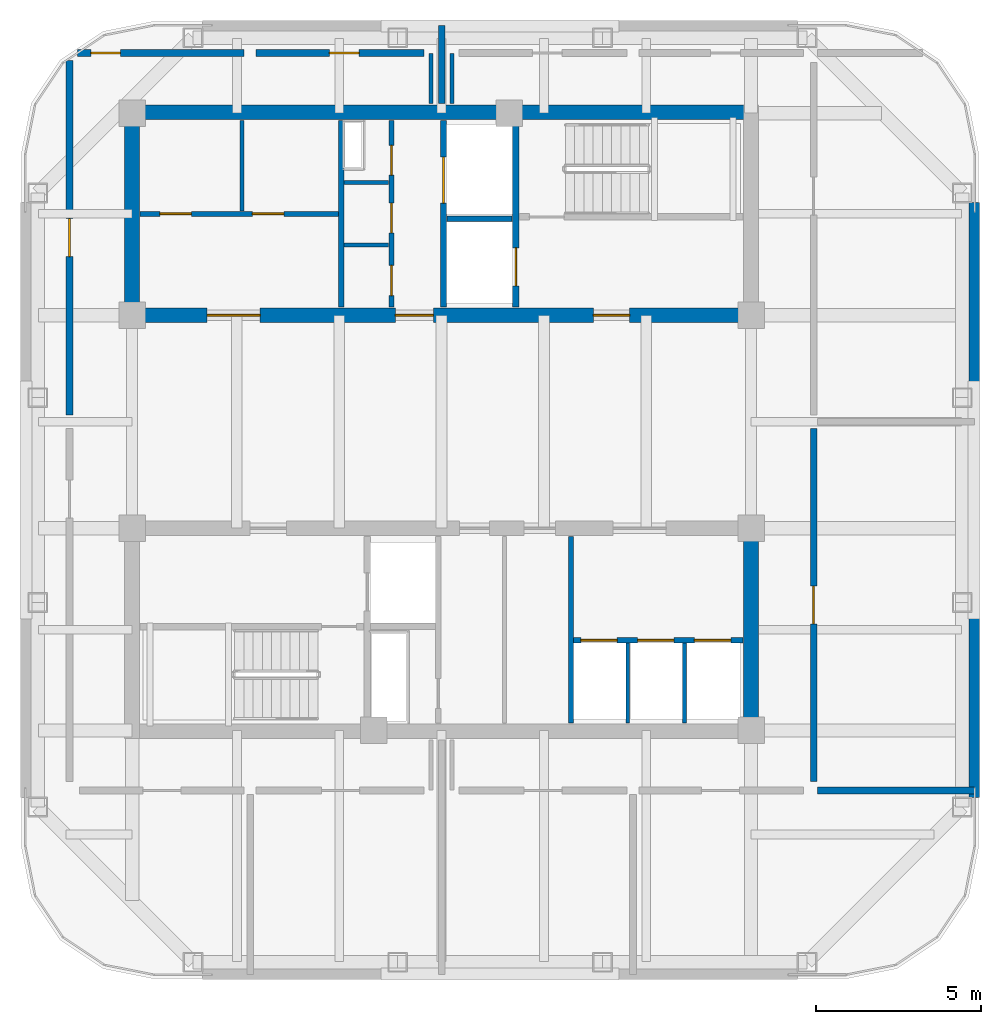
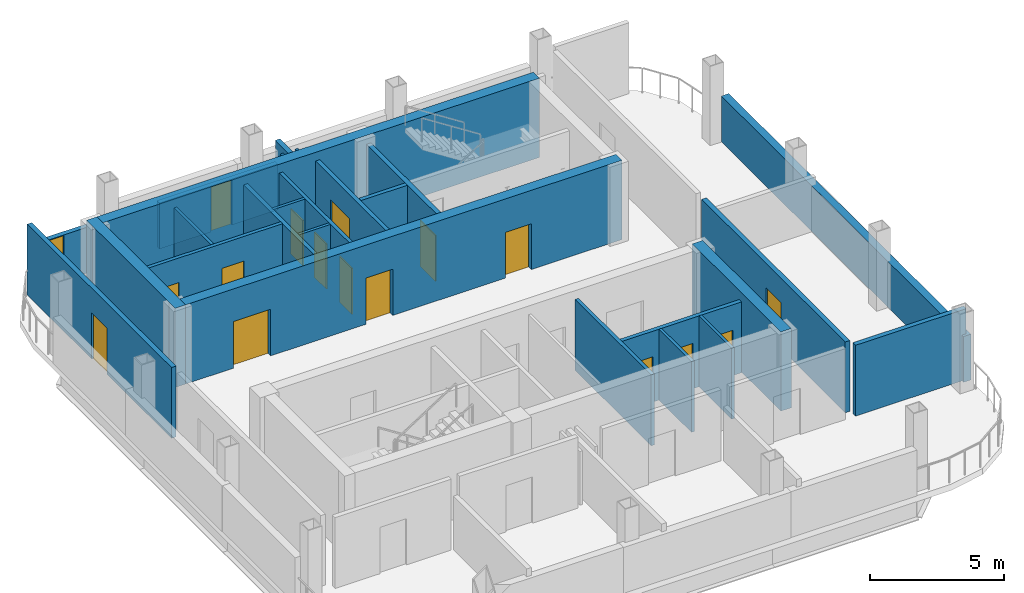
# One storey, part 3 of 7: 26 walls, 17 doors, 17 openings.
"""IFC4 building model written with IfcOpenShell, lengths in metres."""

from ifc_helpers import new_model, si_unit, direction, frame, frame_2d, origin, place, context, subcontext, project, spatial, rectangle, extrude, material, layer, layer_set, type_object, element, fill, save


model = new_model("IFC4")

# Units and contexts
model_context = context("Model", 3, precision=1e-05, world=origin(), true_north=direction((0.0, 1.0)))
body_context = subcontext(model_context, "Body", "Model", "MODEL_VIEW")
ifc_project = project(units=[si_unit("LENGTHUNIT", "METRE"), si_unit("AREAUNIT", "SQUARE_METRE"), si_unit("VOLUMEUNIT", "CUBIC_METRE"), si_unit("PLANEANGLEUNIT", "RADIAN"), si_unit("MASSUNIT", "GRAM", prefix="KILO")], contexts=[model_context])

# Site, building, storey
site_placement = place(None, origin())
site = spatial("IfcSite", under=ifc_project, at=site_placement, CompositionType="ELEMENT")
building_placement = place(site_placement, origin())
building = spatial("IfcBuilding", under=site, at=building_placement, Name="Qhalaya Broadcast Tower", CompositionType="ELEMENT")
storey_placement = place(building_placement, frame((0.0, 0.0, 234.89990234375)))
storey = spatial("IfcBuildingStorey", under=building, at=storey_placement, Name="L69", CompositionType="ELEMENT", Elevation=234.89990234375)

# Wall, openings, doors
ifc_material_1 = material(Name="Gypsum Acoustic Partition")
ifc_layer_1 = layer(ifc_material_1, 0.14990234375, Name="Gypsum Acoustic Partition")
ifc_layer_set_1 = layer_set([ifc_layer_1], Name="Gypsum Acoustic Partition")
wall_type_1 = type_object("IfcWallType", Name="Corridor & Tenancy Acoustic Partition 150", PredefinedType="PARTITIONING", material=ifc_layer_set_1)
wall_1_placement = place(storey_placement, frame((-1.52001953125, 4.070068359375, 0.0), z_axis=(0.0, 0.0, 1.0), x_axis=(0.0, 1.0, 0.0)))
wall_1 = element("IfcWall", 1, at=wall_1_placement, inside=storey, type_object=wall_type_1, Name="L69 Partition Wall NCW-SVL", PredefinedType="PARTITIONING", context=body_context, shape_type="SweptSolid", body=[
    extrude(rectangle(XDim=5.659912109375, YDim=0.14990234375, at=frame_2d((2.830078125, 0.0))), origin(), (0.0, 0.0, 1.0), 3.22021484375),
])
opening_1_placement = place(wall_1_placement, frame((4.0, 0.0, 0.0)))
opening_1 = element("IfcOpeningElement", 2, at=opening_1_placement, cuts=wall_1, Name="Opening D06", PredefinedType="OPENING", context=body_context, shape_type="SweptSolid", body=[
    extrude(rectangle(XDim=0.89990234375, YDim=2.050048828125, at=frame_2d((0.449951171875, 1.02490234375))), frame((0.0, 0.0869140625, 0.0), z_axis=(0.0, -1.0, 0.0), x_axis=(1.0, 0.0, 0.0)), (0.0, 0.0, 1.0), 0.173828125),
])
opening_2_placement = place(wall_1_placement, frame((2.25, 0.0, 0.0)))
opening_2 = element("IfcOpeningElement", 3, at=opening_2_placement, cuts=wall_1, Name="Opening D06", PredefinedType="OPENING", context=body_context, shape_type="SweptSolid", body=[
    extrude(rectangle(XDim=0.89990234375, YDim=2.050048828125, at=frame_2d((0.449951171875, 1.02490234375))), frame((0.0, 0.0869140625, 0.0), z_axis=(0.0, -1.0, 0.0), x_axis=(1.0, 0.0, 0.0)), (0.0, 0.0, 1.0), 0.173828125),
])
opening_3_placement = place(wall_1_placement, frame((0.35009765625, 0.0, 0.0)))
opening_3 = element("IfcOpeningElement", 4, at=opening_3_placement, cuts=wall_1, Name="Opening D12", PredefinedType="OPENING", context=body_context, shape_type="SweptSolid", body=[
    extrude(rectangle(XDim=0.919921875, YDim=2.10009765625, at=frame_2d((0.4599609375, 1.050048828125))), frame((0.0, 0.0869140625, 0.0), z_axis=(0.0, -1.0, 0.0), x_axis=(1.0, 0.0, 0.0)), (0.0, 0.0, 1.0), 0.173828125),
])
ifc_material_2 = material(Name="Timber Veneer Acoustic Door", Category="wood")
door_type_1 = type_object("IfcDoorType", Name="Accessible WC & Restroom Door D12", OperationType="NOTDEFINED", PredefinedType="DOOR", material=ifc_material_2)
door_1_placement = place(opening_3_placement, origin())
door_1 = element("IfcDoor", 5, at=door_1_placement, inside=storey, type_object=door_type_1, Name="L69 Door D-NCWC", OperationType="SINGLE_SWING_RIGHT", OverallHeight=2.10009765625, OverallWidth=0.919921875, PredefinedType="DOOR", context=body_context, shape_type="SweptSolid", body=[
    extrude(rectangle(XDim=0.919921875, YDim=2.10009765625, at=frame_2d((0.4599609375, 1.050048828125))), frame((0.0, 0.02490234375, 0.0), z_axis=(0.0, -1.0, 0.0), x_axis=(1.0, 0.0, 0.0)), (0.0, 0.0, 1.0), 0.050048828125),
])
fill(opening_3, door_1)
ifc_material_3 = material(Name="Fire-Rated Steel Door", Category="steel")
door_type_2 = type_object("IfcDoorType", Name="Riser & Electrical Shaft Access Door D06", OperationType="NOTDEFINED", PredefinedType="DOOR", material=ifc_material_3)
door_2_placement = place(opening_1_placement, origin())
door_2 = element("IfcDoor", 6, at=door_2_placement, inside=storey, type_object=door_type_2, Name="L69 Riser Shaft Access Door D-NRSR", OperationType="SINGLE_SWING_RIGHT", OverallHeight=2.050048828125, OverallWidth=0.89990234375, PredefinedType="DOOR", context=body_context, shape_type="SweptSolid", body=[
    extrude(rectangle(XDim=0.89990234375, YDim=2.050048828125, at=frame_2d((0.449951171875, 1.02490234375))), frame((0.0, 0.02490234375, 0.0), z_axis=(0.0, -1.0, 0.0), x_axis=(1.0, 0.0, 0.0)), (0.0, 0.0, 1.0), 0.050048828125),
])
fill(opening_1, door_2)
door_3_placement = place(opening_2_placement, origin())
door_3 = element("IfcDoor", 7, at=door_3_placement, inside=storey, type_object=door_type_2, Name="L69 Door D-NITR", OperationType="SINGLE_SWING_LEFT", OverallHeight=2.050048828125, OverallWidth=0.89990234375, PredefinedType="DOOR", context=body_context, shape_type="SweptSolid", body=[
    extrude(rectangle(XDim=0.89990234375, YDim=2.050048828125, at=frame_2d((0.449951171875, 1.02490234375))), frame((0.0, 0.02490234375, 0.0), z_axis=(0.0, -1.0, 0.0), x_axis=(1.0, 0.0, 0.0)), (0.0, 0.0, 1.0), 0.050048828125),
])
fill(opening_2, door_3)

wall_2_placement = place(storey_placement, frame((-9.1298828125, 6.89990234375, 0.0), z_axis=(0.0, 0.0, 1.0), x_axis=(1.0, 0.0, 0.0)))
wall_2 = element("IfcWall", 8, at=wall_2_placement, inside=storey, type_object=wall_type_1, Name="L69 Partition Wall NCW-REC1", PredefinedType="PARTITIONING", context=body_context, shape_type="SweptSolid", body=[
    extrude(rectangle(XDim=6.009765625, YDim=0.14990234375, at=frame_2d((3.0048828125, 0.0))), origin(), (0.0, 0.0, 1.0), 3.22021484375),
])
opening_4_placement = place(wall_2_placement, frame((0.60009765625, 0.0, 0.0)))
opening_4 = element("IfcOpeningElement", 9, at=opening_4_placement, cuts=wall_2, Name="Opening D10", PredefinedType="OPENING", context=body_context, shape_type="SweptSolid", body=[
    extrude(rectangle(XDim=0.949951171875, YDim=2.10009765625, at=frame_2d((0.47509765625, 1.050048828125))), frame((0.0, 0.0869140625, 0.0), z_axis=(0.0, -1.0, 0.0), x_axis=(1.0, 0.0, 0.0)), (0.0, 0.0, 1.0), 0.173828125),
])
opening_5_placement = place(wall_2_placement, frame((3.39990234375, 0.0, 0.0)))
opening_5 = element("IfcOpeningElement", 10, at=opening_5_placement, cuts=wall_2, Name="Opening D10", PredefinedType="OPENING", context=body_context, shape_type="SweptSolid", body=[
    extrude(rectangle(XDim=0.949951171875, YDim=2.10009765625, at=frame_2d((0.47509765625, 1.050048828125))), frame((0.0, 0.0869140625, 0.0), z_axis=(0.0, -1.0, 0.0), x_axis=(1.0, 0.0, 0.0)), (0.0, 0.0, 1.0), 0.173828125),
])
door_type_3 = type_object("IfcDoorType", Name="Cellular Office & Edit Booth Door D10", OperationType="NOTDEFINED", PredefinedType="DOOR", material=ifc_material_2)
door_4_placement = place(opening_4_placement, origin())
door_4 = element("IfcDoor", 11, at=door_4_placement, inside=storey, type_object=door_type_3, Name="L69 Door D-NREC1", OperationType="SINGLE_SWING_LEFT", OverallHeight=2.10009765625, OverallWidth=0.949951171875, PredefinedType="DOOR", context=body_context, shape_type="SweptSolid", body=[
    extrude(rectangle(XDim=0.949951171875, YDim=2.10009765625, at=frame_2d((0.47509765625, 1.050048828125))), frame((0.0, 0.02490234375, 0.0), z_axis=(0.0, -1.0, 0.0), x_axis=(1.0, 0.0, 0.0)), (0.0, 0.0, 1.0), 0.050048828125),
])
fill(opening_4, door_4)
door_5_placement = place(opening_5_placement, origin())
door_5 = element("IfcDoor", 12, at=door_5_placement, inside=storey, type_object=door_type_3, Name="L69 Door D-NREC2", OperationType="SINGLE_SWING_RIGHT", OverallHeight=2.10009765625, OverallWidth=0.949951171875, PredefinedType="DOOR", context=body_context, shape_type="SweptSolid", body=[
    extrude(rectangle(XDim=0.949951171875, YDim=2.10009765625, at=frame_2d((0.47509765625, 1.050048828125))), frame((0.0, 0.02490234375, 0.0), z_axis=(0.0, -1.0, 0.0), x_axis=(1.0, 0.0, 0.0)), (0.0, 0.0, 1.0), 0.050048828125),
])
fill(opening_5, door_5)

# Walls
wall_3_placement = place(storey_placement, frame((3.919921875, -8.530029296875, 0.0), z_axis=(0.0, 0.0, 1.0), x_axis=(0.0, 1.0, 0.0)))
element("IfcWall", 13, at=wall_3_placement, inside=storey, type_object=wall_type_1, Name="L69 Partition Wall SCW-HSEP", PredefinedType="PARTITIONING", context=body_context, shape_type="SweptSolid", body=[
    extrude(rectangle(XDim=5.659912109375, YDim=0.14990234375, at=frame_2d((2.830078125, 0.0))), origin(), (0.0, 0.0, 1.0), 3.22021484375),
])
ifc_layer_2 = layer(ifc_material_1, 0.199951171875, Name="Gypsum Acoustic Partition")
ifc_layer_set_2 = layer_set([ifc_layer_2], Name="Gypsum Acoustic Partition")
wall_type_2 = type_object("IfcWallType", Name="Firefighting Lobby & Stair Enclosure Wall 200", PredefinedType="PARTITIONING", material=ifc_layer_set_2)
wall_4_placement = place(storey_placement, frame((0.0, 10.239990234375, 0.0), z_axis=(0.0, 0.0, 1.0), x_axis=(0.0, 1.0, 0.0)))
element("IfcWall", 14, at=wall_4_placement, inside=storey, type_object=wall_type_2, Name="L69 Partition Wall W-OBN", PredefinedType="PARTITIONING", context=body_context, shape_type="SweptSolid", body=[
    extrude(rectangle(XDim=2.3701171875, YDim=0.199951171875, at=frame_2d((1.18505859375, 0.0))), origin(), (0.0, 0.0, 1.0), 2.43798828125),
])

# Wall, opening, door
wall_5_placement = place(storey_placement, frame((-5.97998046875, 11.77001953125, 0.0), z_axis=(0.0, 0.0, 1.0), x_axis=(-1.0, 0.0, 0.0)))
wall_5 = element("IfcWall", 15, at=wall_5_placement, inside=storey, type_object=wall_type_2, Name="L69 Partition Wall W-PCN0", PredefinedType="PARTITIONING", context=body_context, shape_type="SweptSolid", body=[
    extrude(rectangle(XDim=5.045654296875, YDim=0.199951171875, at=frame_2d((2.52294921875, 0.0))), origin(), (0.0, 0.0, 1.0), 2.08203125),
])
opening_6_placement = place(wall_5_placement, frame((3.74609375, 0.0, 0.0)))
opening_6 = element("IfcOpeningElement", 16, at=opening_6_placement, cuts=wall_5, Name="Opening D06", PredefinedType="OPENING", context=body_context, shape_type="SweptSolid", body=[
    extrude(rectangle(XDim=0.89990234375, YDim=2.050048828125, at=frame_2d((0.449951171875, 1.02490234375))), frame((0.0, 0.112060546875, 0.0), z_axis=(0.0, -1.0, 0.0), x_axis=(1.0, 0.0, 0.0)), (0.0, 0.0, 1.0), 0.223876953125),
])
door_6_placement = place(opening_6_placement, origin())
door_6 = element("IfcDoor", 17, at=door_6_placement, inside=storey, type_object=door_type_2, Name="L69 Door D-PCN0", OperationType="SINGLE_SWING_LEFT", OverallHeight=2.050048828125, OverallWidth=0.89990234375, PredefinedType="DOOR", context=body_context, shape_type="SweptSolid", body=[
    extrude(rectangle(XDim=0.89990234375, YDim=2.050048828125, at=frame_2d((0.449951171875, 1.02490234375))), frame((0.0, 0.02490234375, 0.0), z_axis=(0.0, -1.0, 0.0), x_axis=(1.0, 0.0, 0.0)), (0.0, 0.0, 1.0), 0.050048828125),
])
fill(opening_6, door_6)

wall_6_placement = place(storey_placement, frame((-0.530029296875, 11.77001953125, 0.0), z_axis=(0.0, 0.0, 1.0), x_axis=(-1.0, 0.0, 0.0)))
wall_6 = element("IfcWall", 18, at=wall_6_placement, inside=storey, type_object=wall_type_2, Name="L69 Partition Wall W-PCN1", PredefinedType="PARTITIONING", context=body_context, shape_type="SweptSolid", body=[
    extrude(rectangle(XDim=5.090087890625, YDim=0.199951171875, at=frame_2d((2.544921875, 0.0))), origin(), (0.0, 0.0, 1.0), 2.08203125),
])
opening_7_placement = place(wall_6_placement, frame((1.969970703125, 0.0, 0.0)))
opening_7 = element("IfcOpeningElement", 19, at=opening_7_placement, cuts=wall_6, Name="Opening D06", PredefinedType="OPENING", context=body_context, shape_type="SweptSolid", body=[
    extrude(rectangle(XDim=0.89990234375, YDim=2.050048828125, at=frame_2d((0.449951171875, 1.02490234375))), frame((0.0, 0.112060546875, 0.0), z_axis=(0.0, -1.0, 0.0), x_axis=(1.0, 0.0, 0.0)), (0.0, 0.0, 1.0), 0.223876953125),
])
door_7_placement = place(opening_7_placement, origin())
door_7 = element("IfcDoor", 20, at=door_7_placement, inside=storey, type_object=door_type_2, Name="L69 Door D-PCN1", OperationType="SINGLE_SWING_LEFT", OverallHeight=2.050048828125, OverallWidth=0.89990234375, PredefinedType="DOOR", context=body_context, shape_type="SweptSolid", body=[
    extrude(rectangle(XDim=0.89990234375, YDim=2.050048828125, at=frame_2d((0.449951171875, 1.02490234375))), frame((0.0, 0.02490234375, 0.0), z_axis=(0.0, -1.0, 0.0), x_axis=(1.0, 0.0, 0.0)), (0.0, 0.0, 1.0), 0.050048828125),
])
fill(opening_7, door_7)

# Wall
wall_7_placement = place(storey_placement, frame((11.389892578125, -10.570068359375, 0.0), z_axis=(0.0, 0.0, 1.0), x_axis=(1.0, 0.0, 0.0)))
element("IfcWall", 21, at=wall_7_placement, inside=storey, type_object=wall_type_2, Name="L69 Partition Wall W-PBSE", PredefinedType="PARTITIONING", context=body_context, shape_type="SweptSolid", body=[
    extrude(rectangle(XDim=4.760009765625, YDim=0.199951171875, at=frame_2d((2.3798828125, 0.0))), origin(), (0.0, 0.0, 1.0), 3.22021484375),
])

# Wall, opening, door
wall_8_placement = place(storey_placement, frame((-11.27001953125, 11.550048828125, 0.0), z_axis=(0.0, 0.0, 1.0), x_axis=(0.0, -1.0, 0.0)))
wall_8 = element("IfcWall", 22, at=wall_8_placement, inside=storey, type_object=wall_type_2, Name="L69 Partition Wall W-PCW2", PredefinedType="PARTITIONING", context=body_context, shape_type="SweptSolid", body=[
    extrude(rectangle(XDim=10.739990234375, YDim=0.199951171875, at=frame_2d((5.3701171875, 0.0))), origin(), (0.0, 0.0, 1.0), 3.22021484375),
])
opening_8_placement = place(wall_8_placement, frame((4.794921875, 0.0, 0.0)))
opening_8 = element("IfcOpeningElement", 23, at=opening_8_placement, cuts=wall_8, Name="Opening D05", PredefinedType="OPENING", context=body_context, shape_type="SweptSolid", body=[
    extrude(rectangle(XDim=1.14990234375, YDim=2.10009765625, at=frame_2d((0.574951171875, 1.050048828125))), frame((0.0, 0.112060546875, 0.0), z_axis=(0.0, -1.0, 0.0), x_axis=(1.0, 0.0, 0.0)), (0.0, 0.0, 1.0), 0.223876953125),
])
door_type_4 = type_object("IfcDoorType", Name="Refuge & Plant Room Fire Door D05", OperationType="NOTDEFINED", PredefinedType="DOOR", material=ifc_material_3)
door_8_placement = place(opening_8_placement, origin())
door_8 = element("IfcDoor", 24, at=door_8_placement, inside=storey, type_object=door_type_4, Name="L69 Door D-PCW2", OperationType="SINGLE_SWING_RIGHT", OverallHeight=2.10009765625, OverallWidth=1.14990234375, PredefinedType="DOOR", context=body_context, shape_type="SweptSolid", body=[
    extrude(rectangle(XDim=1.14990234375, YDim=2.10009765625, at=frame_2d((0.574951171875, 1.050048828125))), frame((0.0, 0.02490234375, 0.0), z_axis=(0.0, -1.0, 0.0), x_axis=(1.0, 0.0, 0.0)), (0.0, 0.0, 1.0), 0.050048828125),
])
fill(opening_8, door_8)

wall_9_placement = place(storey_placement, frame((11.27001953125, -10.2900390625, 0.0), z_axis=(0.0, 0.0, 1.0), x_axis=(0.0, 1.0, 0.0)))
wall_9 = element("IfcWall", 25, at=wall_9_placement, inside=storey, type_object=wall_type_2, Name="L69 Partition Wall W-PCE1", PredefinedType="PARTITIONING", context=body_context, shape_type="SweptSolid", body=[
    extrude(rectangle(XDim=10.679931640625, YDim=0.199951171875, at=frame_2d((5.33984375, 0.0))), origin(), (0.0, 0.0, 1.0), 3.22021484375),
])
opening_9_placement = place(wall_9_placement, frame((4.764892578125, 0.0, 0.0)))
opening_9 = element("IfcOpeningElement", 26, at=opening_9_placement, cuts=wall_9, Name="Opening D05", PredefinedType="OPENING", context=body_context, shape_type="SweptSolid", body=[
    extrude(rectangle(XDim=1.14990234375, YDim=2.10009765625, at=frame_2d((0.574951171875, 1.050048828125))), frame((0.0, 0.112060546875, 0.0), z_axis=(0.0, -1.0, 0.0), x_axis=(1.0, 0.0, 0.0)), (0.0, 0.0, 1.0), 0.223876953125),
])
door_9_placement = place(opening_9_placement, origin())
door_9 = element("IfcDoor", 27, at=door_9_placement, inside=storey, type_object=door_type_4, Name="L69 Door D-PCE1", OperationType="SINGLE_SWING_RIGHT", OverallHeight=2.10009765625, OverallWidth=1.14990234375, PredefinedType="DOOR", context=body_context, shape_type="SweptSolid", body=[
    extrude(rectangle(XDim=1.14990234375, YDim=2.10009765625, at=frame_2d((0.574951171875, 1.050048828125))), frame((0.0, 0.02490234375, 0.0), z_axis=(0.0, -1.0, 0.0), x_axis=(1.0, 0.0, 0.0)), (0.0, 0.0, 1.0), 0.050048828125),
])
fill(opening_9, door_9)

ifc_material_4 = material(Name="Concrete C50/60", Category="concrete")
ifc_layer_3 = layer(ifc_material_4, 0.199951171875, Name="Concrete C50/60")
ifc_layer_set_3 = layer_set([ifc_layer_3], Name="Concrete C50/60")
wall_type_3 = type_object("IfcWallType", Name="Load-Bearing Stair Shaft Wall 200", PredefinedType="SHEAR", material=ifc_layer_set_3)
wall_10_placement = place(storey_placement, frame((2.25, 4.070068359375, 0.0), z_axis=(0.0, 0.0, 1.0), x_axis=(0.0, 1.0, 0.0)))
wall_10 = element("IfcWall", 28, at=wall_10_placement, inside=storey, type_object=wall_type_3, Name="L69 Stair Core Shear Wall NCW-FF", PredefinedType="SHEAR", context=body_context, shape_type="SweptSolid", body=[
    extrude(rectangle(XDim=5.659912109375, YDim=0.199951171875, at=frame_2d((2.830078125, 0.0))), origin(), (0.0, 0.0, 1.0), 3.22021484375),
])
opening_10_placement = place(wall_10_placement, frame((0.64990234375, 0.0, 0.0)))
opening_10 = element("IfcOpeningElement", 29, at=opening_10_placement, cuts=wall_10, Name="Opening LD2", PredefinedType="OPENING", context=body_context, shape_type="SweptSolid", body=[
    extrude(rectangle(XDim=1.14990234375, YDim=2.080078125, at=frame_2d((0.574951171875, 1.0400390625))), frame((0.0, 0.112060546875, 0.0), z_axis=(0.0, -1.0, 0.0), x_axis=(1.0, 0.0, 0.0)), (0.0, 0.0, 1.0), 0.223876953125),
])
ifc_material_5 = material(Name="Brushed Stainless Steel Lift Door", Category="steel")
door_type_5 = type_object("IfcDoorType", Name="Firefighting Lift Sliding Landing Door LD2", OperationType="DOUBLE_DOOR_SLIDING", PredefinedType="DOOR", material=ifc_material_5)
door_10_placement = place(opening_10_placement, origin())
door_10 = element("IfcDoor", 30, at=door_10_placement, inside=storey, type_object=door_type_5, Name="L69 Door LD-FF1", OperationType="DOUBLE_DOOR_SLIDING", OverallHeight=2.080078125, OverallWidth=1.14990234375, PredefinedType="DOOR", context=body_context, shape_type="SweptSolid", body=[
    extrude(rectangle(XDim=1.14990234375, YDim=2.080078125, at=frame_2d((0.574951171875, 1.0400390625))), frame((0.0, 0.02490234375, 0.0), z_axis=(0.0, -1.0, 0.0), x_axis=(1.0, 0.0, 0.0)), (0.0, 0.0, 1.0), 0.050048828125),
])
fill(opening_10, door_10)

# Walls
ifc_layer_4 = layer(ifc_material_1, 0.1201171875, Name="Gypsum Acoustic Partition")
ifc_layer_set_4 = layer_set([ifc_layer_4], Name="Gypsum Acoustic Partition")
wall_type_4 = type_object("IfcWallType", Name="Office, Booth & Sanitary Partition 120", PredefinedType="PARTITIONING", material=ifc_layer_set_4)
for number, where, z_axis, x_axis, name in (
    (31, (-2.9599609375, 5.949951171875, 0.0), (0.0, 0.0, 1.0), (1.0, 0.0, 0.0), "L69 Partition Wall NCW-VB1"),
    (32, (-2.9599609375, 7.85009765625, 0.0), (0.0, 0.0, 1.0), (1.0, 0.0, 0.0), "L69 Partition Wall NCW-VB2"),
):
    element("IfcWall", number, at=place(storey_placement, frame(where, z_axis=z_axis, x_axis=x_axis)), inside=storey, type_object=wall_type_4, Name=name, PredefinedType="PARTITIONING", context=body_context, shape_type="SweptSolid", body=[
        extrude(rectangle(XDim=1.35986328125, YDim=0.1201171875, at=frame_2d((0.679931640625, 0.0))), origin(), (0.0, 0.0, 1.0), 3.22021484375),
    ])
wall_11_placement = place(storey_placement, frame((-6.050048828125, 6.97998046875, 0.0), z_axis=(0.0, 0.0, 1.0), x_axis=(0.0, 1.0, 0.0)))
element("IfcWall", 33, at=wall_11_placement, inside=storey, type_object=wall_type_4, Name="L69 Partition Wall NCW-REC2", PredefinedType="PARTITIONING", context=body_context, shape_type="SweptSolid", body=[
    extrude(rectangle(XDim=2.75, YDim=0.1201171875, at=frame_2d((1.375, 0.0))), origin(), (0.0, 0.0, 1.0), 3.22021484375),
])
for number, where, z_axis, x_axis, name in (
    (34, (5.639892578125, -8.530029296875, 0.0), (0.0, 0.0, 1.0), (0.0, 1.0, 0.0), "L69 Partition Wall SCW-HD6"),
    (35, (7.360107421875, -8.530029296875, 0.0), (0.0, 0.0, 1.0), (0.0, 1.0, 0.0), "L69 Partition Wall SCW-HD7"),
):
    element("IfcWall", number, at=place(storey_placement, frame(where, z_axis=z_axis, x_axis=x_axis)), inside=storey, type_object=wall_type_4, Name=name, PredefinedType="PARTITIONING", context=body_context, shape_type="SweptSolid", body=[
        extrude(rectangle(XDim=2.429931640625, YDim=0.1201171875, at=frame_2d((1.21484375, 0.0))), origin(), (0.0, 0.0, 1.0), 3.22021484375),
    ])
for number, where, z_axis, x_axis, name in (
    (36, (-0.320068359375, 10.239990234375, 0.0), (0.0, 0.0, 1.0), (0.0, 1.0, 0.0), "L69 Partition Wall W-OBNCW"),
    (37, (0.320068359375, 10.239990234375, 0.0), (0.0, 0.0, 1.0), (0.0, 1.0, 0.0), "L69 Partition Wall W-OBNCE"),
):
    element("IfcWall", number, at=place(storey_placement, frame(where, z_axis=z_axis, x_axis=x_axis)), inside=storey, type_object=wall_type_4, Name=name, PredefinedType="PARTITIONING", context=body_context, shape_type="SweptSolid", body=[
        extrude(rectangle(XDim=1.510009765625, YDim=0.1201171875, at=frame_2d((0.7548828125, 0.0))), origin(), (0.0, 0.0, 1.0), 2.43798828125),
    ])
ifc_material_6 = material(Name="Precast Concrete C40/50", Category="concrete")
ifc_layer_5 = layer(ifc_material_6, 0.320068359375, Name="Precast Concrete C40/50")
ifc_layer_set_5 = layer_set([ifc_layer_5], Name="Precast Concrete C40/50")
wall_type_5 = type_object("IfcWallType", Name="Recessed Neck Insulated Exterior Wall 320", PredefinedType="SOLIDWALL", material=ifc_layer_set_5)
wall_12_placement = place(storey_placement, frame((16.1298828125, 7.241943359375, 0.0), z_axis=(0.0, 0.0, 1.0), x_axis=(0.0, -1.0, 0.0)))
element("IfcWall", 38, at=wall_12_placement, inside=storey, type_object=wall_type_5, Name="L69 Exterior Facade Wall E", PredefinedType="SOLIDWALL", context=body_context, shape_type="SweptSolid", body=[
    extrude(rectangle(XDim=18.02392578125, YDim=0.320068359375, at=frame_2d((9.011962890625, 0.0))), origin(), (0.0, 0.0, 1.0), 2.08203125),
])

# Wall, opening, door
ifc_layer_6 = layer(ifc_material_1, 0.175048828125, Name="Gypsum Acoustic Partition")
ifc_layer_set_6 = layer_set([ifc_layer_6], Name="Gypsum Acoustic Partition")
wall_type_6 = type_object("IfcWallType", Name="Shaft & Riser Fire Partition 175", PredefinedType="PARTITIONING", material=ifc_layer_set_6)
wall_13_placement = place(storey_placement, frame((0.06005859375, 4.070068359375, 0.0), z_axis=(0.0, 0.0, 1.0), x_axis=(0.0, 1.0, 0.0)))
wall_13 = element("IfcWall", 39, at=wall_13_placement, inside=storey, type_object=wall_type_6, Name="L69 Partition Wall NCW-SVW", PredefinedType="PARTITIONING", context=body_context, shape_type="SweptSolid", body=[
    extrude(rectangle(XDim=5.659912109375, YDim=0.175048828125, at=frame_2d((2.830078125, 0.0))), origin(), (0.0, 0.0, 1.0), 3.22021484375),
])
opening_11_placement = place(wall_13_placement, frame((3.14990234375, 0.0, 0.0)))
opening_11 = element("IfcOpeningElement", 40, at=opening_11_placement, cuts=wall_13, Name="Opening LD3", PredefinedType="OPENING", context=body_context, shape_type="SweptSolid", body=[
    extrude(rectangle(XDim=1.39990234375, YDim=2.1201171875, at=frame_2d((0.699951171875, 1.06005859375))), frame((0.0, 0.099609375, 0.0), z_axis=(0.0, -1.0, 0.0), x_axis=(1.0, 0.0, 0.0)), (0.0, 0.0, 1.0), 0.198974609375),
])
door_type_6 = type_object("IfcDoorType", Name="Service Lift Wide Sliding Landing Door LD3", OperationType="DOUBLE_DOOR_SLIDING", PredefinedType="DOOR", material=ifc_material_5)
door_11_placement = place(opening_11_placement, origin())
door_11 = element("IfcDoor", 41, at=door_11_placement, inside=storey, type_object=door_type_6, Name="L69 Door LD-SV1", OperationType="DOUBLE_DOOR_SLIDING", OverallHeight=2.1201171875, OverallWidth=1.39990234375, PredefinedType="DOOR", context=body_context, shape_type="SweptSolid", body=[
    extrude(rectangle(XDim=1.39990234375, YDim=2.1201171875, at=frame_2d((0.699951171875, 1.06005859375))), frame((0.0, 0.02490234375, 0.0), z_axis=(0.0, -1.0, 0.0), x_axis=(1.0, 0.0, 0.0)), (0.0, 0.0, 1.0), 0.050048828125),
])
fill(opening_11, door_11)

# Walls
wall_14_placement = place(storey_placement, frame((0.159912109375, 6.75, 0.0), z_axis=(0.0, 0.0, 1.0), x_axis=(1.0, 0.0, 0.0)))
element("IfcWall", 42, at=wall_14_placement, inside=storey, type_object=wall_type_6, Name="L69 Partition Wall NCW-SVM", PredefinedType="PARTITIONING", context=body_context, shape_type="SweptSolid", body=[
    extrude(rectangle(XDim=1.97998046875, YDim=0.175048828125, at=frame_2d((0.989990234375, 0.0))), origin(), (0.0, 0.0, 1.0), 3.22021484375),
])
wall_15_placement = place(storey_placement, frame((-3.0400390625, 4.070068359375, 0.0), z_axis=(0.0, 0.0, 1.0), x_axis=(0.0, 1.0, 0.0)))
element("IfcWall", 43, at=wall_15_placement, inside=storey, type_object=wall_type_6, Name="L69 Partition Wall NCW-VRW", PredefinedType="PARTITIONING", context=body_context, shape_type="SweptSolid", body=[
    extrude(rectangle(XDim=5.659912109375, YDim=0.175048828125, at=frame_2d((2.830078125, 0.0))), origin(), (0.0, 0.0, 1.0), 3.22021484375),
])

# Wall, openings, doors
wall_16_placement = place(storey_placement, frame((4.0, -6.02001953125, 0.0), z_axis=(0.0, 0.0, 1.0), x_axis=(1.0, 0.0, 0.0)))
wall_16 = element("IfcWall", 44, at=wall_16_placement, inside=storey, type_object=wall_type_6, Name="L69 Partition Wall SCW-SLB", PredefinedType="PARTITIONING", context=body_context, shape_type="SweptSolid", body=[
    extrude(rectangle(XDim=5.1298828125, YDim=0.175048828125, at=frame_2d((2.56494140625, 0.0))), origin(), (0.0, 0.0, 1.0), 3.22021484375),
])
opening_12_placement = place(wall_16_placement, frame((0.219970703125, 0.0, 0.0)))
opening_12 = element("IfcOpeningElement", 45, at=opening_12_placement, cuts=wall_16, Name="Opening LD1", PredefinedType="OPENING", context=body_context, shape_type="SweptSolid", body=[
    extrude(rectangle(XDim=1.10009765625, YDim=2.06005859375, at=frame_2d((0.550048828125, 1.030029296875))), frame((0.0, 0.099609375, 0.0), z_axis=(0.0, -1.0, 0.0), x_axis=(1.0, 0.0, 0.0)), (0.0, 0.0, 1.0), 0.198974609375),
])
opening_13_placement = place(wall_16_placement, frame((1.93994140625, 0.0, 0.0)))
opening_13 = element("IfcOpeningElement", 46, at=opening_13_placement, cuts=wall_16, Name="Opening LD1", PredefinedType="OPENING", context=body_context, shape_type="SweptSolid", body=[
    extrude(rectangle(XDim=1.10009765625, YDim=2.06005859375, at=frame_2d((0.550048828125, 1.030029296875))), frame((0.0, 0.099609375, 0.0), z_axis=(0.0, -1.0, 0.0), x_axis=(1.0, 0.0, 0.0)), (0.0, 0.0, 1.0), 0.198974609375),
])
opening_14_placement = place(wall_16_placement, frame((3.659912109375, 0.0, 0.0)))
opening_14 = element("IfcOpeningElement", 47, at=opening_14_placement, cuts=wall_16, Name="Opening LD1", PredefinedType="OPENING", context=body_context, shape_type="SweptSolid", body=[
    extrude(rectangle(XDim=1.10009765625, YDim=2.06005859375, at=frame_2d((0.550048828125, 1.030029296875))), frame((0.0, 0.099609375, 0.0), z_axis=(0.0, -1.0, 0.0), x_axis=(1.0, 0.0, 0.0)), (0.0, 0.0, 1.0), 0.198974609375),
])
door_type_7 = type_object("IfcDoorType", Name="Passenger Lift Sliding Landing Door LD1", OperationType="DOUBLE_DOOR_SLIDING", PredefinedType="DOOR", material=ifc_material_5)
door_12_placement = place(opening_12_placement, origin())
door_12 = element("IfcDoor", 48, at=door_12_placement, inside=storey, type_object=door_type_7, Name="L69 Door LD-P6", OperationType="DOUBLE_DOOR_SLIDING", OverallHeight=2.06005859375, OverallWidth=1.10009765625, PredefinedType="DOOR", context=body_context, shape_type="SweptSolid", body=[
    extrude(rectangle(XDim=1.10009765625, YDim=2.06005859375, at=frame_2d((0.550048828125, 1.030029296875))), frame((0.0, 0.02490234375, 0.0), z_axis=(0.0, -1.0, 0.0), x_axis=(1.0, 0.0, 0.0)), (0.0, 0.0, 1.0), 0.050048828125),
])
fill(opening_12, door_12)
door_13_placement = place(opening_13_placement, origin())
door_13 = element("IfcDoor", 49, at=door_13_placement, inside=storey, type_object=door_type_7, Name="L69 Door LD-P7", OperationType="DOUBLE_DOOR_SLIDING", OverallHeight=2.06005859375, OverallWidth=1.10009765625, PredefinedType="DOOR", context=body_context, shape_type="SweptSolid", body=[
    extrude(rectangle(XDim=1.10009765625, YDim=2.06005859375, at=frame_2d((0.550048828125, 1.030029296875))), frame((0.0, 0.02490234375, 0.0), z_axis=(0.0, -1.0, 0.0), x_axis=(1.0, 0.0, 0.0)), (0.0, 0.0, 1.0), 0.050048828125),
])
fill(opening_13, door_13)
door_14_placement = place(opening_14_placement, origin())
door_14 = element("IfcDoor", 50, at=door_14_placement, inside=storey, type_object=door_type_7, Name="L69 Door LD-P8", OperationType="DOUBLE_DOOR_SLIDING", OverallHeight=2.06005859375, OverallWidth=1.10009765625, PredefinedType="DOOR", context=body_context, shape_type="SweptSolid", body=[
    extrude(rectangle(XDim=1.10009765625, YDim=2.06005859375, at=frame_2d((0.550048828125, 1.030029296875))), frame((0.0, 0.02490234375, 0.0), z_axis=(0.0, -1.0, 0.0), x_axis=(1.0, 0.0, 0.0)), (0.0, 0.0, 1.0), 0.050048828125),
])
fill(opening_14, door_14)

# Wall
ifc_layer_7 = layer(ifc_material_4, 0.449951171875, Name="Concrete C50/60")
ifc_layer_set_7 = layer_set([ifc_layer_7], Name="Concrete C50/60")
wall_type_7 = type_object("IfcWallType", Name="Upper Split-Core Shear Wall 450", PredefinedType="SHEAR", material=ifc_layer_set_7)
wall_17_placement = place(storey_placement, frame((-9.60009765625, 9.97509765625, 0.0), z_axis=(0.0, 0.0, 1.0), x_axis=(1.0, 0.0, 0.0)))
element("IfcWall", 51, at=wall_17_placement, inside=storey, type_object=wall_type_7, Name="L69 Split-Core Shear Wall CW-NN", PredefinedType="SHEAR", context=body_context, shape_type="SweptSolid", body=[
    extrude(rectangle(XDim=19.2001953125, YDim=0.449951171875, at=frame_2d((9.60009765625, 0.0))), origin(), (0.0, 0.0, 1.0), 3.60009765625),
])

# Wall, openings, doors
wall_18_placement = place(storey_placement, frame((-9.60009765625, 3.824951171875, 0.0), z_axis=(0.0, 0.0, 1.0), x_axis=(1.0, 0.0, 0.0)))
wall_18 = element("IfcWall", 52, at=wall_18_placement, inside=storey, type_object=wall_type_7, Name="L69 Split-Core Shear Wall CW-NS", PredefinedType="SHEAR", context=body_context, shape_type="SweptSolid", body=[
    extrude(rectangle(XDim=19.2001953125, YDim=0.449951171875, at=frame_2d((9.60009765625, 0.0))), origin(), (0.0, 0.0, 1.0), 3.60009765625),
])
opening_15_placement = place(wall_18_placement, frame((14.199951171875, 0.0, 0.0)))
opening_15 = element("IfcOpeningElement", 53, at=opening_15_placement, cuts=wall_18, Name="Opening D04", PredefinedType="OPENING", context=body_context, shape_type="SweptSolid", body=[
    extrude(rectangle(XDim=1.10009765625, YDim=2.080078125, at=frame_2d((0.550048828125, 1.0400390625))), frame((0.0, 0.237060546875, 0.0), z_axis=(0.0, -1.0, 0.0), x_axis=(1.0, 0.0, 0.0)), (0.0, 0.0, 1.0), 0.473876953125),
])
opening_16_placement = place(wall_18_placement, frame((8.199951171875, 0.0, 0.0)))
opening_16 = element("IfcOpeningElement", 54, at=opening_16_placement, cuts=wall_18, Name="Opening D05", PredefinedType="OPENING", context=body_context, shape_type="SweptSolid", body=[
    extrude(rectangle(XDim=1.14990234375, YDim=2.10009765625, at=frame_2d((0.574951171875, 1.050048828125))), frame((0.0, 0.237060546875, 0.0), z_axis=(0.0, -1.0, 0.0), x_axis=(1.0, 0.0, 0.0)), (0.0, 0.0, 1.0), 0.473876953125),
])
opening_17_placement = place(wall_18_placement, frame((2.5, 0.0, 0.0)))
opening_17 = element("IfcOpeningElement", 55, at=opening_17_placement, cuts=wall_18, Name="Opening D07", PredefinedType="OPENING", context=body_context, shape_type="SweptSolid", body=[
    extrude(rectangle(XDim=1.60009765625, YDim=2.1201171875, at=frame_2d((0.800048828125, 1.06005859375))), frame((0.0, 0.237060546875, 0.0), z_axis=(0.0, -1.0, 0.0), x_axis=(1.0, 0.0, 0.0)), (0.0, 0.0, 1.0), 0.473876953125),
])
door_type_8 = type_object("IfcDoorType", Name="Firefighting Lobby Rated Door D04", OperationType="NOTDEFINED", PredefinedType="DOOR", material=ifc_material_3)
door_15_placement = place(opening_15_placement, origin())
door_15 = element("IfcDoor", 56, at=door_15_placement, inside=storey, type_object=door_type_8, Name="L69 Door D-NFF", OperationType="SINGLE_SWING_RIGHT", OverallHeight=2.080078125, OverallWidth=1.10009765625, PredefinedType="DOOR", context=body_context, shape_type="SweptSolid", body=[
    extrude(rectangle(XDim=1.10009765625, YDim=2.080078125, at=frame_2d((0.550048828125, 1.0400390625))), frame((0.0, 0.02490234375, 0.0), z_axis=(0.0, -1.0, 0.0), x_axis=(1.0, 0.0, 0.0)), (0.0, 0.0, 1.0), 0.050048828125),
])
fill(opening_15, door_15)
ifc_material_7 = material(Name="Anodised Aluminium Glazed Door", Category="aluminium")
door_type_9 = type_object("IfcDoorType", Name="Passenger Lift Lobby Double Glazed Door D07", OperationType="DOUBLE_DOOR_SINGLE_SWING", PredefinedType="DOOR", material=ifc_material_7)
door_16_placement = place(opening_17_placement, origin())
door_16 = element("IfcDoor", 57, at=door_16_placement, inside=storey, type_object=door_type_9, Name="L69 Door D-NRECV", OperationType="DOUBLE_DOOR_SINGLE_SWING", OverallHeight=2.1201171875, OverallWidth=1.60009765625, PredefinedType="DOOR", context=body_context, shape_type="SweptSolid", body=[
    extrude(rectangle(XDim=1.60009765625, YDim=2.1201171875, at=frame_2d((0.800048828125, 1.06005859375))), frame((0.0, 0.02490234375, 0.0), z_axis=(0.0, -1.0, 0.0), x_axis=(1.0, 0.0, 0.0)), (0.0, 0.0, 1.0), 0.050048828125),
])
fill(opening_17, door_16)
door_17_placement = place(opening_16_placement, origin())
door_17 = element("IfcDoor", 58, at=door_17_placement, inside=storey, type_object=door_type_4, Name="L69 Door D-NSVL", OperationType="SINGLE_SWING_LEFT", OverallHeight=2.10009765625, OverallWidth=1.14990234375, PredefinedType="DOOR", context=body_context, shape_type="SweptSolid", body=[
    extrude(rectangle(XDim=1.14990234375, YDim=2.10009765625, at=frame_2d((0.574951171875, 1.050048828125))), frame((0.0, 0.02490234375, 0.0), z_axis=(0.0, -1.0, 0.0), x_axis=(1.0, 0.0, 0.0)), (0.0, 0.0, 1.0), 0.050048828125),
])
fill(opening_16, door_17)

# Walls
wall_19_placement = place(storey_placement, frame((-9.375, 3.60009765625, 0.0), z_axis=(0.0, 0.0, 1.0), x_axis=(0.0, 1.0, 0.0)))
element("IfcWall", 59, at=wall_19_placement, inside=storey, type_object=wall_type_7, Name="L69 Split-Core Shear Wall CW-NW", PredefinedType="SHEAR", context=body_context, shape_type="SweptSolid", body=[
    extrude(rectangle(XDim=6.599853515625, YDim=0.449951171875, at=frame_2d((3.2998046875, 0.0))), origin(), (0.0, 0.0, 1.0), 3.60009765625),
])
wall_20_placement = place(storey_placement, frame((9.375, -9.0, 0.0), z_axis=(0.0, 0.0, 1.0), x_axis=(0.0, 1.0, 0.0)))
element("IfcWall", 60, at=wall_20_placement, inside=storey, type_object=wall_type_7, Name="L69 Split-Core Shear Wall CW-SE", PredefinedType="SHEAR", context=body_context, shape_type="SweptSolid", body=[
    extrude(rectangle(XDim=6.60009765625, YDim=0.449951171875, at=frame_2d((3.300048828125, 0.0))), origin(), (0.0, 0.0, 1.0), 3.60009765625),
])

save(model, "model.ifc")
